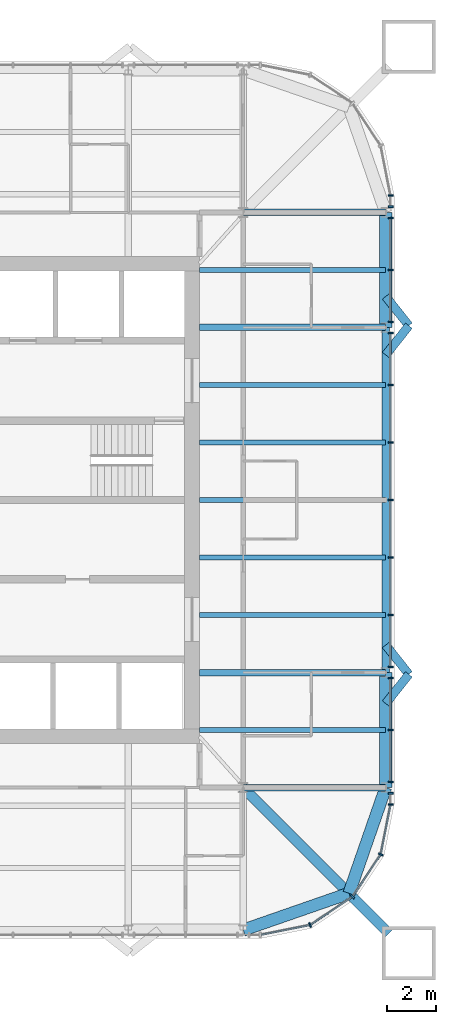
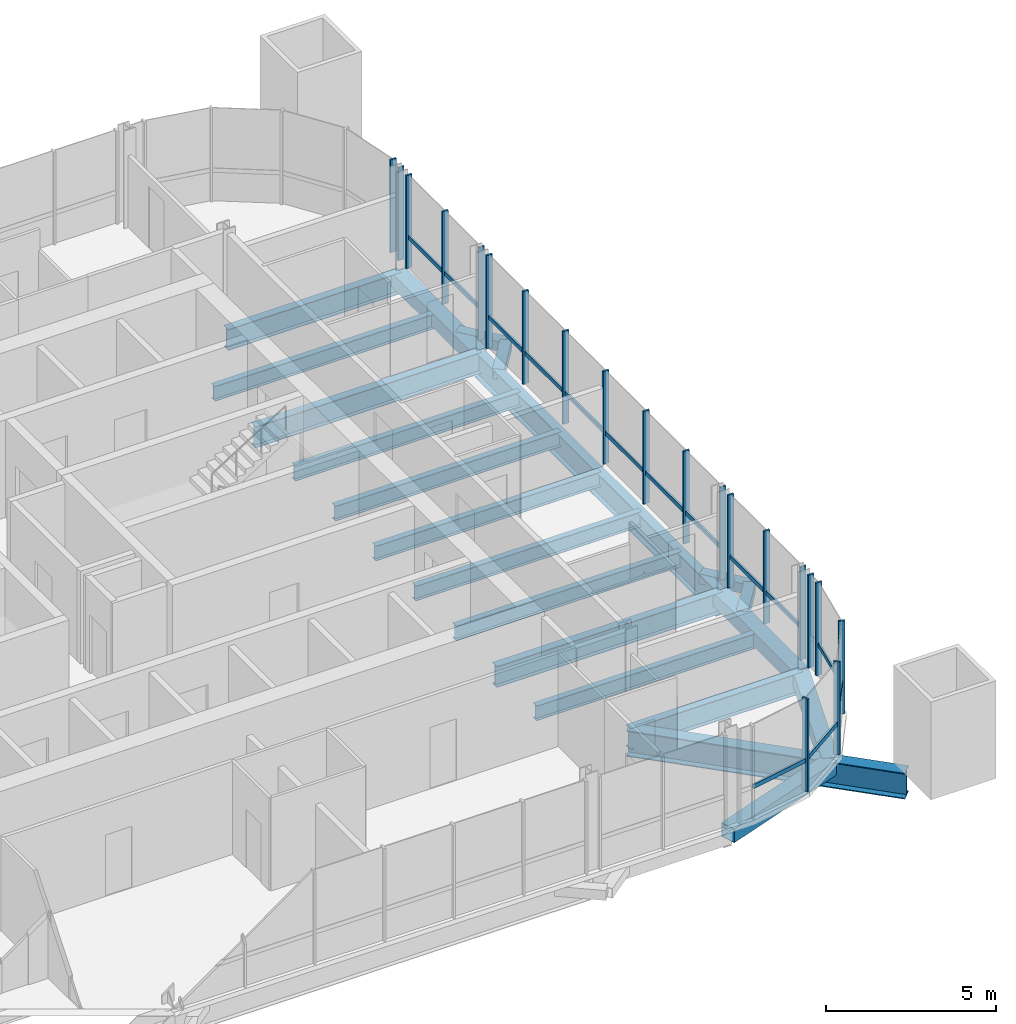
# One storey, part 5 of 17: 34 members, 21 beams, 6 elements without a shape of their own.
"""IFC4 building model written with IfcOpenShell, lengths in metres."""

from ifc_helpers import new_model, si_unit, direction, frame, origin, origin_2d, place, context, subcontext, project, spatial, rectangle, hollow_rectangle, i_section, extrude, material, material_profile, profile_set, type_object, element, aggregate, save


model = new_model("IFC4")

# Units and contexts
model_context = context("Model", 3, precision=1e-05, world=origin(), true_north=direction((0.0, 1.0)))
body_context = subcontext(model_context, "Body", "Model", "MODEL_VIEW")
ifc_project = project(units=[si_unit("LENGTHUNIT", "METRE"), si_unit("AREAUNIT", "SQUARE_METRE"), si_unit("VOLUMEUNIT", "CUBIC_METRE"), si_unit("PLANEANGLEUNIT", "RADIAN"), si_unit("MASSUNIT", "GRAM", prefix="KILO")], contexts=[model_context])

# Site, building, storey
site_placement = place(None, origin())
site = spatial("IfcSite", under=ifc_project, at=site_placement, CompositionType="ELEMENT")
building_placement = place(site_placement, origin())
building = spatial("IfcBuilding", under=site, at=building_placement, Name="Turquesa Mirador Hotel Tower", CompositionType="ELEMENT")
storey_placement = place(building_placement, frame((0.0, 0.0, 240.699951171875)))
storey = spatial("IfcBuildingStorey", under=building, at=storey_placement, Name="L65", CompositionType="ELEMENT", Elevation=240.699951171875)

# Beams
ifc_material_1 = material(Name="Steel ASTM A572 Grade 50", Category="steel")
ifc_material_profile_1 = material_profile(ifc_material_1, hollow_rectangle(XDim=0.5, YDim=0.5, WallThickness=0.01611328125, at=origin_2d()), Name="BOX500X500X16")
ifc_profile_set_1 = profile_set([ifc_material_profile_1], Name="Steel ASTM A572 Grade 50")
beam_type_1 = type_object("IfcBeamType", Name="BEAM BOX500X500X16", PredefinedType="BEAM", material=ifc_profile_set_1)
for number, where, z_axis, x_axis, name in (
    (1, (72.64990234375, 33.199951171875, -0.419921875), (0.0, 1.0, 0.0), (-1.0, 0.0, 0.0), "EB-L65-E-L"),
    (2, (72.64990234375, 52.080078125, -0.419921875), (0.0, 1.0, 0.0), (-1.0, 0.0, 0.0), "EB-L65-E-R"),
):
    element("IfcBeam", number, at=place(storey_placement, frame(where, z_axis=z_axis, x_axis=x_axis)), inside=storey, type_object=beam_type_1, Name=name, PredefinedType="BEAM", context=body_context, shape_type="SweptSolid", body=[
        extrude(hollow_rectangle(XDim=0.5, YDim=0.5, WallThickness=0.01611328125, at=origin_2d()), origin(), (0.0, 0.0, 1.0), 4.719970703125),
    ])
for number, where, z_axis, x_axis, name in (
    (3, (72.64990234375, 33.199951171875, -0.419921875), (-0.328170356092, -0.944618556552, 0.0), (0.944618556552, -0.328170356092, 0.0), "KE-L65-4-0"),
    (4, (71.1416015625, 28.8583984375, -0.419921875), (-0.944618556552, -0.328170356092, 0.0), (0.328170356092, -0.944618556552, 0.0), "KE-L65-4-1"),
):
    element("IfcBeam", number, at=place(storey_placement, frame(where, z_axis=z_axis, x_axis=x_axis)), inside=storey, type_object=beam_type_1, Name=name, PredefinedType="BEAM", context=body_context, shape_type="SweptSolid", body=[
        extrude(hollow_rectangle(XDim=0.5, YDim=0.5, WallThickness=0.01611328125, at=origin_2d()), origin(), (0.0, 0.0, 1.0), 4.59619140625),
    ])
ifc_material_2 = material(Name="Steel ASTM A992 Grade 50", Category="steel")
ifc_material_profile_2 = material_profile(ifc_material_2, i_section(OverallWidth=0.209228515625, OverallDepth=0.533447265625, WebThickness=0.01025390625, FlangeThickness=0.015625, at=origin_2d()), Name="W21X62")
ifc_profile_set_2 = profile_set([ifc_material_profile_2], Name="Steel ASTM A992 Grade 50")
beam_type_2 = type_object("IfcBeamType", Name="BEAM W21X62", PredefinedType="BEAM", material=ifc_profile_set_2)
for number, where, z_axis, x_axis, name in (
    (5, (72.64990234375, 35.56005859375, -0.436767578125), (-1.0, 0.0, 0.0), (0.0, -1.0, 0.0), "BM-L65-E--9.44"),
    (6, (72.64990234375, 40.280029296875, -0.436767578125), (-1.0, 0.0, 0.0), (0.0, -1.0, 0.0), "BM-L65-E--4.72"),
    (7, (72.64990234375, 42.639892578125, -0.436767578125), (-1.0, 0.0, 0.0), (0.0, -1.0, 0.0), "BM-L65-E--2.36"),
    (8, (72.64990234375, 45.0, -0.436767578125), (-1.0, 0.0, 0.0), (0.0, -1.0, 0.0), "BM-L65-E-+0.00"),
    (9, (72.64990234375, 47.360107421875, -0.436767578125), (-1.0, 0.0, 0.0), (0.0, -1.0, 0.0), "BM-L65-E-+2.36"),
    (10, (72.64990234375, 49.719970703125, -0.436767578125), (-1.0, 0.0, 0.0), (0.0, -1.0, 0.0), "BM-L65-E-+4.72"),
    (11, (72.64990234375, 54.43994140625, -0.436767578125), (-1.0, 0.0, 0.0), (0.0, -1.0, 0.0), "BM-L65-E-+9.44"),
):
    element("IfcBeam", number, at=place(storey_placement, frame(where, z_axis=z_axis, x_axis=x_axis)), inside=storey, type_object=beam_type_2, Name=name, PredefinedType="BEAM", context=body_context, shape_type="SweptSolid", body=[
        extrude(i_section(OverallWidth=0.209228515625, OverallDepth=0.533447265625, WebThickness=0.01025390625, FlangeThickness=0.015625, at=origin_2d()), origin(), (0.0, 0.0, 1.0), 7.64990234375),
    ])
ifc_material_3 = material(Name="Steel ASTM A992 Grade 50", Category="steel")
ifc_material_profile_3 = material_profile(ifc_material_3, i_section(OverallWidth=0.2666015625, OverallDepth=0.7568359375, WebThickness=0.013916015625, FlangeThickness=0.019287109375, at=origin_2d()), Name="W30X108")
ifc_profile_set_3 = profile_set([ifc_material_profile_3], Name="Steel ASTM A992 Grade 50")
beam_type_3 = type_object("IfcBeamType", Name="BEAM W30X108", PredefinedType="BEAM", material=ifc_profile_set_3)
for number, where, z_axis, x_axis, name in (
    (12, (72.64990234375, 37.919921875, -0.54833984375), (-1.0, 0.0, 0.0), (0.0, -1.0, 0.0), "GD-L65-E--7.08"),
    (13, (72.64990234375, 52.080078125, -0.54833984375), (-1.0, 0.0, 0.0), (0.0, -1.0, 0.0), "GD-L65-E-+7.08"),
):
    element("IfcBeam", number, at=place(storey_placement, frame(where, z_axis=z_axis, x_axis=x_axis)), inside=storey, type_object=beam_type_3, Name=name, PredefinedType="BEAM", context=body_context, shape_type="SweptSolid", body=[
        extrude(i_section(OverallWidth=0.2666015625, OverallDepth=0.7568359375, WebThickness=0.013916015625, FlangeThickness=0.019287109375, at=origin_2d()), origin(), (0.0, 0.0, 1.0), 7.64990234375),
    ])
for number, where, z_axis, x_axis, name in (
    (14, (72.64990234375, 33.199951171875, -0.54833984375), (-1.0, 0.0, 0.0), (0.0, -1.0, 0.0), "GK-L65-E--11.80"),
    (15, (72.64990234375, 56.800048828125, -0.54833984375), (-1.0, 0.0, 0.0), (0.0, -1.0, 0.0), "GK-L65-E-+11.80"),
):
    element("IfcBeam", number, at=place(storey_placement, frame(where, z_axis=z_axis, x_axis=x_axis)), inside=storey, type_object=beam_type_3, Name=name, PredefinedType="BEAM", context=body_context, shape_type="SweptSolid", body=[
        extrude(i_section(OverallWidth=0.2666015625, OverallDepth=0.7568359375, WebThickness=0.013916015625, FlangeThickness=0.019287109375, at=origin_2d()), origin(), (0.0, 0.0, 1.0), 5.849853515625),
    ])
ifc_material_4 = material(Name="Steel ASTM A992 Grade 50", Category="steel")
ifc_material_profile_4 = material_profile(ifc_material_4, i_section(OverallWidth=0.3046875, OverallDepth=0.911865234375, WebThickness=0.015869140625, FlangeThickness=0.02392578125, at=origin_2d()), Name="W36X150")
ifc_profile_set_4 = profile_set([ifc_material_profile_4], Name="Steel ASTM A992 Grade 50")
beam_type_4 = type_object("IfcBeamType", Name="BEAM W36X150", PredefinedType="BEAM", material=ifc_profile_set_4)
beam_1_placement = place(storey_placement, frame((72.64990234375, 37.919921875, -0.6259765625), z_axis=(0.0, 1.0, 0.0), x_axis=(-1.0, 0.0, 0.0)))
element("IfcBeam", 16, at=beam_1_placement, inside=storey, type_object=beam_type_4, Name="EB-L65-E-C", PredefinedType="BEAM", context=body_context, shape_type="SweptSolid", body=[
    extrude(i_section(OverallWidth=0.3046875, OverallDepth=0.911865234375, WebThickness=0.015869140625, FlangeThickness=0.02392578125, at=origin_2d()), origin(), (0.0, 0.0, 1.0), 14.16015625),
])
ifc_material_5 = material(Name="Steel ASTM A992 Grade 50", Category="steel")
ifc_material_profile_5 = material_profile(ifc_material_5, i_section(OverallWidth=0.419189453125, OverallDepth=0.927001953125, WebThickness=0.019287109375, FlangeThickness=0.031982421875, at=origin_2d()), Name="W36X231")
ifc_profile_set_5 = profile_set([ifc_material_profile_5], Name="Steel ASTM A992 Grade 50")
beam_type_5 = type_object("IfcBeamType", Name="BEAM W36X231", PredefinedType="BEAM", material=ifc_profile_set_5)
beam_2_placement = place(storey_placement, frame((66.800048828125, 33.199951171875, -0.633544921875), z_axis=(0.707106781187, -0.707106781187, 0.0), x_axis=(0.707106781187, 0.707106781187, 0.0)))
element("IfcBeam", 17, at=beam_2_placement, inside=storey, type_object=beam_type_5, Name="KD-L65-4", PredefinedType="BEAM", context=body_context, shape_type="SweptSolid", body=[
    extrude(i_section(OverallWidth=0.419189453125, OverallDepth=0.927001953125, WebThickness=0.019287109375, FlangeThickness=0.031982421875, at=origin_2d()), origin(), (0.0, 0.0, 1.0), 8.46240234375),
])
ifc_material_6 = material(Name="Steel ASTM A500 Grade C", Category="steel")
ifc_material_profile_6 = material_profile(ifc_material_6, hollow_rectangle(XDim=0.355712890625, YDim=0.355712890625, WallThickness=0.0146484375, at=origin_2d()), Name="HSS14X14X5/8")
ifc_profile_set_6 = profile_set([ifc_material_profile_6], Name="Steel ASTM A500 Grade C")
beam_type_6 = type_object("IfcBeamType", Name="BRACE STRUT HSS14X14X5/8", PredefinedType="BEAM", material=ifc_profile_set_6)
for number, where, z_axis, x_axis, name in (
    (18, (73.60009765625, 37.84619140625, -0.34765625), (-0.620796907089, -0.783971428146, 0.0), (0.783971428146, -0.620796907089, 0.0), "Brace strut"),
    (19, (73.60009765625, 37.84619140625, -0.34765625), (-0.620796907089, 0.783971428146, 0.0), (-0.783971428146, -0.620796907089, 0.0), "Brace strut"),
    (20, (73.60009765625, 52.15380859375, -0.34765625), (-0.620796907089, -0.783971428146, 0.0), (0.783971428146, -0.620796907089, 0.0), "Brace strut"),
    (21, (73.60009765625, 52.15380859375, -0.34765625), (-0.620796907089, 0.783971428146, 0.0), (-0.783971428146, -0.620796907089, 0.0), "Brace strut"),
):
    element("IfcBeam", number, at=place(storey_placement, frame(where, z_axis=z_axis, x_axis=x_axis)), inside=storey, type_object=beam_type_6, Name=name, PredefinedType="BEAM", context=body_context, shape_type="SweptSolid", body=[
        extrude(hollow_rectangle(XDim=0.355712890625, YDim=0.355712890625, WallThickness=0.0146484375, at=origin_2d()), origin(), (0.0, 0.0, 1.0), 1.530517578125),
    ])

# Curtain wall, members
ifc_material_7 = material(Name="Aluminium extrusion", Category="aluminium")
curtain_wall_type = type_object("IfcCurtainWallType", Name="CW-4 SUITE FRITTED CURTAIN WALL", PredefinedType="USERDEFINED", material=ifc_material_7)
curtain_wall_1_placement = place(storey_placement, origin())
curtain_wall_1 = element("IfcCurtainWall", 22, at=curtain_wall_1_placement, inside=storey, type_object=curtain_wall_type, Name="CW-4 SUITE FRITTED CURTAIN WALL L65", ObjectType="CURTAIN WALL", PredefinedType="USERDEFINED")
ifc_material_8 = material(Name="Aluminium extrusion", Category="aluminium")
ifc_material_profile_7 = material_profile(ifc_material_8, rectangle(XDim=0.06494140625, YDim=0.199951171875, at=origin_2d()), Name="MULLION 65X200")
ifc_profile_set_7 = profile_set([ifc_material_profile_7], Name="Aluminium extrusion")
member_type_1 = type_object("IfcMemberType", Name="CW MULLION 65X200", PredefinedType="MULLION", material=ifc_profile_set_7)
member_1_placement = place(storey_placement, frame((69.54736328125, 27.55712890625, 0.0), z_axis=(0.0, 0.0, 1.0), x_axis=(0.923879532511, 0.382683432365, 0.0)))
member_1 = element("IfcMember", 23, at=member_1_placement, type_object=member_type_1, Name="Mullion", PredefinedType="MULLION", context=body_context, shape_type="SweptSolid", body=[
    extrude(rectangle(XDim=0.06494140625, YDim=0.199951171875, at=origin_2d()), origin(), (0.0, 0.0, 1.0), 3.330078125),
])
member_2_placement = place(storey_placement, frame((71.282958984375, 28.717041015625, 0.0), z_axis=(0.0, 0.0, 1.0), x_axis=(0.707106781187, 0.707106781187, 0.0)))
member_2 = element("IfcMember", 24, at=member_2_placement, type_object=member_type_1, Name="Mullion", PredefinedType="MULLION", context=body_context, shape_type="SweptSolid", body=[
    extrude(rectangle(XDim=0.06494140625, YDim=0.199951171875, at=origin_2d()), origin(), (0.0, 0.0, 1.0), 3.330078125),
])
member_3_placement = place(storey_placement, frame((72.44287109375, 30.45263671875, 0.0), z_axis=(0.0, 0.0, 1.0), x_axis=(0.382683432365, 0.923879532511, 0.0)))
member_3 = element("IfcMember", 25, at=member_3_placement, type_object=member_type_1, Name="Mullion", PredefinedType="MULLION", context=body_context, shape_type="SweptSolid", body=[
    extrude(rectangle(XDim=0.06494140625, YDim=0.199951171875, at=origin_2d()), origin(), (0.0, 0.0, 1.0), 3.330078125),
])

curtain_wall_2_placement = place(storey_placement, origin())
curtain_wall_2 = element("IfcCurtainWall", 26, at=curtain_wall_2_placement, inside=storey, type_object=curtain_wall_type, Name="CW-4 SUITE FRITTED CURTAIN WALL L65", ObjectType="CURTAIN WALL", PredefinedType="USERDEFINED")
member_4_placement = place(storey_placement, frame((72.85009765625, 32.5, 0.0), z_axis=(0.0, 0.0, 1.0), x_axis=(0.0, 1.0, 0.0)))
member_4 = element("IfcMember", 27, at=member_4_placement, type_object=member_type_1, Name="Mullion", PredefinedType="MULLION", context=body_context, shape_type="SweptSolid", body=[
    extrude(rectangle(XDim=0.06494140625, YDim=0.199951171875, at=origin_2d()), origin(), (0.0, 0.0, 1.0), 3.330078125),
])
member_5_placement = place(storey_placement, frame((72.85009765625, 32.966064453125, 0.0), z_axis=(0.0, 0.0, 1.0), x_axis=(0.0, 1.0, 0.0)))
member_5 = element("IfcMember", 28, at=member_5_placement, type_object=member_type_1, Name="Mullion", PredefinedType="MULLION", context=body_context, shape_type="SweptSolid", body=[
    extrude(rectangle(XDim=0.06494140625, YDim=0.199951171875, at=origin_2d()), origin(), (0.0, 0.0, 1.0), 3.330078125),
])
aggregate(curtain_wall_2, [member_4, member_5])

curtain_wall_3_placement = place(storey_placement, origin())
curtain_wall_3 = element("IfcCurtainWall", 29, at=curtain_wall_3_placement, inside=storey, type_object=curtain_wall_type, Name="CW-4 SUITE FRITTED CURTAIN WALL L65", ObjectType="CURTAIN WALL", PredefinedType="USERDEFINED")
member_6_placement = place(storey_placement, frame((72.85009765625, 33.433837890625, 0.0), z_axis=(0.0, 0.0, 1.0), x_axis=(0.0, 1.0, 0.0)))
member_6 = element("IfcMember", 30, at=member_6_placement, type_object=member_type_1, Name="Mullion", PredefinedType="MULLION", context=body_context, shape_type="SweptSolid", body=[
    extrude(rectangle(XDim=0.06494140625, YDim=0.199951171875, at=origin_2d()), origin(), (0.0, 0.0, 1.0), 3.330078125),
])
member_7_placement = place(storey_placement, frame((72.85009765625, 35.56005859375, 0.0), z_axis=(0.0, 0.0, 1.0), x_axis=(0.0, 1.0, 0.0)))
member_7 = element("IfcMember", 31, at=member_7_placement, type_object=member_type_1, Name="Mullion", PredefinedType="MULLION", context=body_context, shape_type="SweptSolid", body=[
    extrude(rectangle(XDim=0.06494140625, YDim=0.199951171875, at=origin_2d()), origin(), (0.0, 0.0, 1.0), 3.330078125),
])
member_8_placement = place(storey_placement, frame((72.85009765625, 37.68603515625, 0.0), z_axis=(0.0, 0.0, 1.0), x_axis=(0.0, 1.0, 0.0)))
member_8 = element("IfcMember", 32, at=member_8_placement, type_object=member_type_1, Name="Mullion", PredefinedType="MULLION", context=body_context, shape_type="SweptSolid", body=[
    extrude(rectangle(XDim=0.06494140625, YDim=0.199951171875, at=origin_2d()), origin(), (0.0, 0.0, 1.0), 3.330078125),
])

curtain_wall_4_placement = place(storey_placement, origin())
curtain_wall_4 = element("IfcCurtainWall", 33, at=curtain_wall_4_placement, inside=storey, type_object=curtain_wall_type, Name="CW-4 SUITE FRITTED CURTAIN WALL L65", ObjectType="CURTAIN WALL", PredefinedType="USERDEFINED")
member_9_placement = place(storey_placement, frame((72.85009765625, 38.15380859375, 0.0), z_axis=(0.0, 0.0, 1.0), x_axis=(0.0, 1.0, 0.0)))
member_9 = element("IfcMember", 34, at=member_9_placement, type_object=member_type_1, Name="Mullion", PredefinedType="MULLION", context=body_context, shape_type="SweptSolid", body=[
    extrude(rectangle(XDim=0.06494140625, YDim=0.199951171875, at=origin_2d()), origin(), (0.0, 0.0, 1.0), 3.330078125),
])
member_10_placement = place(storey_placement, frame((72.85009765625, 40.280029296875, 0.0), z_axis=(0.0, 0.0, 1.0), x_axis=(0.0, 1.0, 0.0)))
member_10 = element("IfcMember", 35, at=member_10_placement, type_object=member_type_1, Name="Mullion", PredefinedType="MULLION", context=body_context, shape_type="SweptSolid", body=[
    extrude(rectangle(XDim=0.06494140625, YDim=0.199951171875, at=origin_2d()), origin(), (0.0, 0.0, 1.0), 3.330078125),
])
member_11_placement = place(storey_placement, frame((72.85009765625, 42.639892578125, 0.0), z_axis=(0.0, 0.0, 1.0), x_axis=(0.0, 1.0, 0.0)))
member_11 = element("IfcMember", 36, at=member_11_placement, type_object=member_type_1, Name="Mullion", PredefinedType="MULLION", context=body_context, shape_type="SweptSolid", body=[
    extrude(rectangle(XDim=0.06494140625, YDim=0.199951171875, at=origin_2d()), origin(), (0.0, 0.0, 1.0), 3.330078125),
])
member_12_placement = place(storey_placement, frame((72.85009765625, 45.0, 0.0), z_axis=(0.0, 0.0, 1.0), x_axis=(0.0, 1.0, 0.0)))
member_12 = element("IfcMember", 37, at=member_12_placement, type_object=member_type_1, Name="Mullion", PredefinedType="MULLION", context=body_context, shape_type="SweptSolid", body=[
    extrude(rectangle(XDim=0.06494140625, YDim=0.199951171875, at=origin_2d()), origin(), (0.0, 0.0, 1.0), 3.330078125),
])
member_13_placement = place(storey_placement, frame((72.85009765625, 47.360107421875, 0.0), z_axis=(0.0, 0.0, 1.0), x_axis=(0.0, 1.0, 0.0)))
member_13 = element("IfcMember", 38, at=member_13_placement, type_object=member_type_1, Name="Mullion", PredefinedType="MULLION", context=body_context, shape_type="SweptSolid", body=[
    extrude(rectangle(XDim=0.06494140625, YDim=0.199951171875, at=origin_2d()), origin(), (0.0, 0.0, 1.0), 3.330078125),
])
member_14_placement = place(storey_placement, frame((72.85009765625, 49.719970703125, 0.0), z_axis=(0.0, 0.0, 1.0), x_axis=(0.0, 1.0, 0.0)))
member_14 = element("IfcMember", 39, at=member_14_placement, type_object=member_type_1, Name="Mullion", PredefinedType="MULLION", context=body_context, shape_type="SweptSolid", body=[
    extrude(rectangle(XDim=0.06494140625, YDim=0.199951171875, at=origin_2d()), origin(), (0.0, 0.0, 1.0), 3.330078125),
])
member_15_placement = place(storey_placement, frame((72.85009765625, 51.84619140625, 0.0), z_axis=(0.0, 0.0, 1.0), x_axis=(0.0, 1.0, 0.0)))
member_15 = element("IfcMember", 40, at=member_15_placement, type_object=member_type_1, Name="Mullion", PredefinedType="MULLION", context=body_context, shape_type="SweptSolid", body=[
    extrude(rectangle(XDim=0.06494140625, YDim=0.199951171875, at=origin_2d()), origin(), (0.0, 0.0, 1.0), 3.330078125),
])

curtain_wall_5_placement = place(storey_placement, origin())
curtain_wall_5 = element("IfcCurtainWall", 41, at=curtain_wall_5_placement, inside=storey, type_object=curtain_wall_type, Name="CW-4 SUITE FRITTED CURTAIN WALL L65", ObjectType="CURTAIN WALL", PredefinedType="USERDEFINED")
member_16_placement = place(storey_placement, frame((72.85009765625, 52.31396484375, 0.0), z_axis=(0.0, 0.0, 1.0), x_axis=(0.0, 1.0, 0.0)))
member_16 = element("IfcMember", 42, at=member_16_placement, type_object=member_type_1, Name="Mullion", PredefinedType="MULLION", context=body_context, shape_type="SweptSolid", body=[
    extrude(rectangle(XDim=0.06494140625, YDim=0.199951171875, at=origin_2d()), origin(), (0.0, 0.0, 1.0), 3.330078125),
])
member_17_placement = place(storey_placement, frame((72.85009765625, 54.43994140625, 0.0), z_axis=(0.0, 0.0, 1.0), x_axis=(0.0, 1.0, 0.0)))
member_17 = element("IfcMember", 43, at=member_17_placement, type_object=member_type_1, Name="Mullion", PredefinedType="MULLION", context=body_context, shape_type="SweptSolid", body=[
    extrude(rectangle(XDim=0.06494140625, YDim=0.199951171875, at=origin_2d()), origin(), (0.0, 0.0, 1.0), 3.330078125),
])
member_18_placement = place(storey_placement, frame((72.85009765625, 56.566162109375, 0.0), z_axis=(0.0, 0.0, 1.0), x_axis=(0.0, 1.0, 0.0)))
member_18 = element("IfcMember", 44, at=member_18_placement, type_object=member_type_1, Name="Mullion", PredefinedType="MULLION", context=body_context, shape_type="SweptSolid", body=[
    extrude(rectangle(XDim=0.06494140625, YDim=0.199951171875, at=origin_2d()), origin(), (0.0, 0.0, 1.0), 3.330078125),
])

curtain_wall_6_placement = place(storey_placement, origin())
curtain_wall_6 = element("IfcCurtainWall", 45, at=curtain_wall_6_placement, inside=storey, type_object=curtain_wall_type, Name="CW-4 SUITE FRITTED CURTAIN WALL L65", ObjectType="CURTAIN WALL", PredefinedType="USERDEFINED")
member_19_placement = place(storey_placement, frame((72.85009765625, 57.033935546875, 0.0), z_axis=(0.0, 0.0, 1.0), x_axis=(0.0, 1.0, 0.0)))
member_19 = element("IfcMember", 46, at=member_19_placement, type_object=member_type_1, Name="Mullion", PredefinedType="MULLION", context=body_context, shape_type="SweptSolid", body=[
    extrude(rectangle(XDim=0.06494140625, YDim=0.199951171875, at=origin_2d()), origin(), (0.0, 0.0, 1.0), 3.330078125),
])
member_20_placement = place(storey_placement, frame((72.85009765625, 57.5, 0.0), z_axis=(0.0, 0.0, 1.0), x_axis=(0.0, 1.0, 0.0)))
member_20 = element("IfcMember", 47, at=member_20_placement, type_object=member_type_1, Name="Mullion", PredefinedType="MULLION", context=body_context, shape_type="SweptSolid", body=[
    extrude(rectangle(XDim=0.06494140625, YDim=0.199951171875, at=origin_2d()), origin(), (0.0, 0.0, 1.0), 3.330078125),
])
aggregate(curtain_wall_6, [member_19, member_20])

# Member
ifc_material_9 = material(Name="Aluminium extrusion", Category="aluminium")
ifc_material_profile_8 = material_profile(ifc_material_9, rectangle(XDim=0.06494140625, YDim=0.14990234375, at=origin_2d()), Name="TRANSOM 65X150")
ifc_profile_set_8 = profile_set([ifc_material_profile_8], Name="Aluminium extrusion")
member_type_2 = type_object("IfcMemberType", Name="CW TRANSOM 65X150", PredefinedType="USERDEFINED", material=ifc_profile_set_8)
member_21_placement = place(storey_placement, frame((67.531982421875, 27.15625, 1.10009765625), z_axis=(0.980761343592, 0.195210621934, 0.0), x_axis=(-0.195210621934, 0.980761343592, 0.0)))
member_21 = element("IfcMember", 48, at=member_21_placement, type_object=member_type_2, Name="Transom", ObjectType="TRANSOM", PredefinedType="USERDEFINED", context=body_context, shape_type="SweptSolid", body=[
    extrude(rectangle(XDim=0.06494140625, YDim=0.14990234375, at=origin_2d()), origin(), (0.0, 0.0, 1.0), 2.022216796875),
])

member_22_placement = place(storey_placement, frame((69.574462890625, 27.5751953125, 1.10009765625), z_axis=(0.831436961136, 0.555619095835, 0.0), x_axis=(-0.555619095835, 0.831436961136, 0.0)))
member_22 = element("IfcMember", 49, at=member_22_placement, type_object=member_type_2, Name="Transom", ObjectType="TRANSOM", PredefinedType="USERDEFINED", context=body_context, shape_type="SweptSolid", body=[
    extrude(rectangle(XDim=0.06494140625, YDim=0.14990234375, at=origin_2d()), origin(), (0.0, 0.0, 1.0), 2.0224609375),
])

member_23_placement = place(storey_placement, frame((71.301025390625, 28.743896484375, 1.10009765625), z_axis=(0.555619095835, 0.831436961136, 0.0), x_axis=(-0.831436961136, 0.555619095835, 0.0)))
member_23 = element("IfcMember", 50, at=member_23_placement, type_object=member_type_2, Name="Transom", ObjectType="TRANSOM", PredefinedType="USERDEFINED", context=body_context, shape_type="SweptSolid", body=[
    extrude(rectangle(XDim=0.06494140625, YDim=0.14990234375, at=origin_2d()), origin(), (0.0, 0.0, 1.0), 2.0224609375),
])

member_24_placement = place(storey_placement, frame((72.448974609375, 30.484619140625, 1.10009765625), z_axis=(0.195210621934, 0.980761343592, 0.0), x_axis=(-0.980761343592, 0.195210621934, 0.0)))
member_24 = element("IfcMember", 51, at=member_24_placement, type_object=member_type_2, Name="Transom", ObjectType="TRANSOM", PredefinedType="USERDEFINED", context=body_context, shape_type="SweptSolid", body=[
    extrude(rectangle(XDim=0.06494140625, YDim=0.14990234375, at=origin_2d()), origin(), (0.0, 0.0, 1.0), 2.022216796875),
])

aggregate(curtain_wall_1, [member_1, member_2, member_3, member_21, member_22, member_23, member_24])

member_25_placement = place(storey_placement, frame((72.85009765625, 33.46630859375, 1.10009765625), z_axis=(0.0, 1.0, 0.0), x_axis=(-1.0, 0.0, 0.0)))
member_25 = element("IfcMember", 52, at=member_25_placement, type_object=member_type_2, Name="Transom", ObjectType="TRANSOM", PredefinedType="USERDEFINED", context=body_context, shape_type="SweptSolid", body=[
    extrude(rectangle(XDim=0.06494140625, YDim=0.14990234375, at=origin_2d()), origin(), (0.0, 0.0, 1.0), 2.061279296875),
])

member_26_placement = place(storey_placement, frame((72.85009765625, 35.592529296875, 1.10009765625), z_axis=(0.0, 1.0, 0.0), x_axis=(-1.0, 0.0, 0.0)))
member_26 = element("IfcMember", 53, at=member_26_placement, type_object=member_type_2, Name="Transom", ObjectType="TRANSOM", PredefinedType="USERDEFINED", context=body_context, shape_type="SweptSolid", body=[
    extrude(rectangle(XDim=0.06494140625, YDim=0.14990234375, at=origin_2d()), origin(), (0.0, 0.0, 1.0), 2.06103515625),
])

aggregate(curtain_wall_3, [member_6, member_7, member_8, member_25, member_26])

member_27_placement = place(storey_placement, frame((72.85009765625, 38.186279296875, 1.10009765625), z_axis=(0.0, 1.0, 0.0), x_axis=(-1.0, 0.0, 0.0)))
member_27 = element("IfcMember", 54, at=member_27_placement, type_object=member_type_2, Name="Transom", ObjectType="TRANSOM", PredefinedType="USERDEFINED", context=body_context, shape_type="SweptSolid", body=[
    extrude(rectangle(XDim=0.06494140625, YDim=0.14990234375, at=origin_2d()), origin(), (0.0, 0.0, 1.0), 2.061279296875),
])

member_28_placement = place(storey_placement, frame((72.85009765625, 40.3125, 1.10009765625), z_axis=(0.0, 1.0, 0.0), x_axis=(-1.0, 0.0, 0.0)))
member_28 = element("IfcMember", 55, at=member_28_placement, type_object=member_type_2, Name="Transom", ObjectType="TRANSOM", PredefinedType="USERDEFINED", context=body_context, shape_type="SweptSolid", body=[
    extrude(rectangle(XDim=0.06494140625, YDim=0.14990234375, at=origin_2d()), origin(), (0.0, 0.0, 1.0), 2.294921875),
])

member_29_placement = place(storey_placement, frame((72.85009765625, 42.672607421875, 1.10009765625), z_axis=(0.0, 1.0, 0.0), x_axis=(-1.0, 0.0, 0.0)))
member_29 = element("IfcMember", 56, at=member_29_placement, type_object=member_type_2, Name="Transom", ObjectType="TRANSOM", PredefinedType="USERDEFINED", context=body_context, shape_type="SweptSolid", body=[
    extrude(rectangle(XDim=0.06494140625, YDim=0.14990234375, at=origin_2d()), origin(), (0.0, 0.0, 1.0), 2.294921875),
])

member_30_placement = place(storey_placement, frame((72.85009765625, 45.032470703125, 1.10009765625), z_axis=(0.0, 1.0, 0.0), x_axis=(-1.0, 0.0, 0.0)))
member_30 = element("IfcMember", 57, at=member_30_placement, type_object=member_type_2, Name="Transom", ObjectType="TRANSOM", PredefinedType="USERDEFINED", context=body_context, shape_type="SweptSolid", body=[
    extrude(rectangle(XDim=0.06494140625, YDim=0.14990234375, at=origin_2d()), origin(), (0.0, 0.0, 1.0), 2.294921875),
])

member_31_placement = place(storey_placement, frame((72.85009765625, 47.392578125, 1.10009765625), z_axis=(0.0, 1.0, 0.0), x_axis=(-1.0, 0.0, 0.0)))
member_31 = element("IfcMember", 58, at=member_31_placement, type_object=member_type_2, Name="Transom", ObjectType="TRANSOM", PredefinedType="USERDEFINED", context=body_context, shape_type="SweptSolid", body=[
    extrude(rectangle(XDim=0.06494140625, YDim=0.14990234375, at=origin_2d()), origin(), (0.0, 0.0, 1.0), 2.294921875),
])

member_32_placement = place(storey_placement, frame((72.85009765625, 49.75244140625, 1.10009765625), z_axis=(0.0, 1.0, 0.0), x_axis=(-1.0, 0.0, 0.0)))
member_32 = element("IfcMember", 59, at=member_32_placement, type_object=member_type_2, Name="Transom", ObjectType="TRANSOM", PredefinedType="USERDEFINED", context=body_context, shape_type="SweptSolid", body=[
    extrude(rectangle(XDim=0.06494140625, YDim=0.14990234375, at=origin_2d()), origin(), (0.0, 0.0, 1.0), 2.061279296875),
])

aggregate(curtain_wall_4, [member_9, member_10, member_11, member_12, member_13, member_14, member_15, member_27, member_28, member_29, member_30, member_31, member_32])

member_33_placement = place(storey_placement, frame((72.85009765625, 52.346435546875, 1.10009765625), z_axis=(0.0, 1.0, 0.0), x_axis=(-1.0, 0.0, 0.0)))
member_33 = element("IfcMember", 60, at=member_33_placement, type_object=member_type_2, Name="Transom", ObjectType="TRANSOM", PredefinedType="USERDEFINED", context=body_context, shape_type="SweptSolid", body=[
    extrude(rectangle(XDim=0.06494140625, YDim=0.14990234375, at=origin_2d()), origin(), (0.0, 0.0, 1.0), 2.06103515625),
])

member_34_placement = place(storey_placement, frame((72.85009765625, 54.472412109375, 1.10009765625), z_axis=(0.0, 1.0, 0.0), x_axis=(-1.0, 0.0, 0.0)))
member_34 = element("IfcMember", 61, at=member_34_placement, type_object=member_type_2, Name="Transom", ObjectType="TRANSOM", PredefinedType="USERDEFINED", context=body_context, shape_type="SweptSolid", body=[
    extrude(rectangle(XDim=0.06494140625, YDim=0.14990234375, at=origin_2d()), origin(), (0.0, 0.0, 1.0), 2.061279296875),
])

aggregate(curtain_wall_5, [member_16, member_17, member_18, member_33, member_34])

save(model, "model.ifc")
